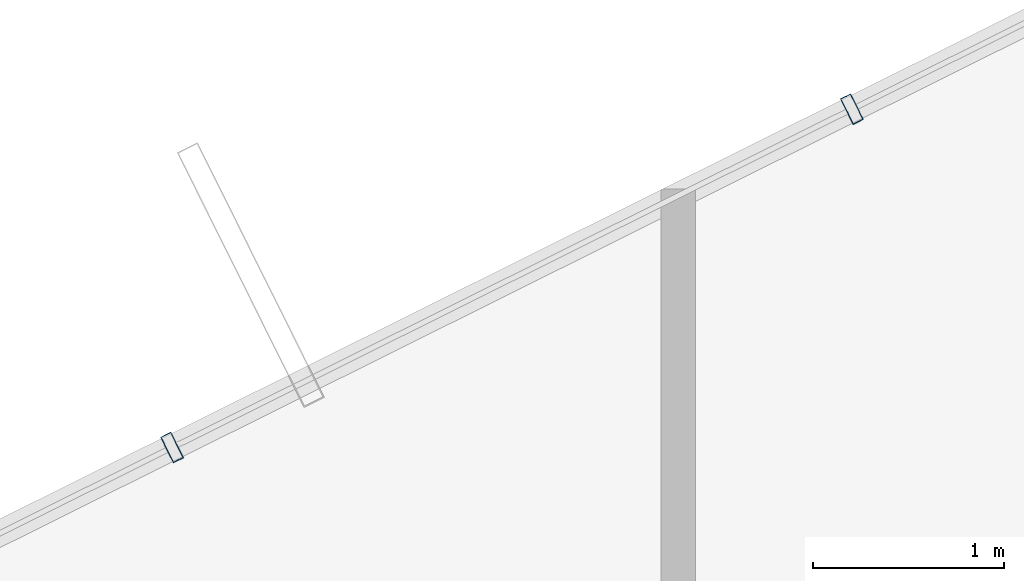
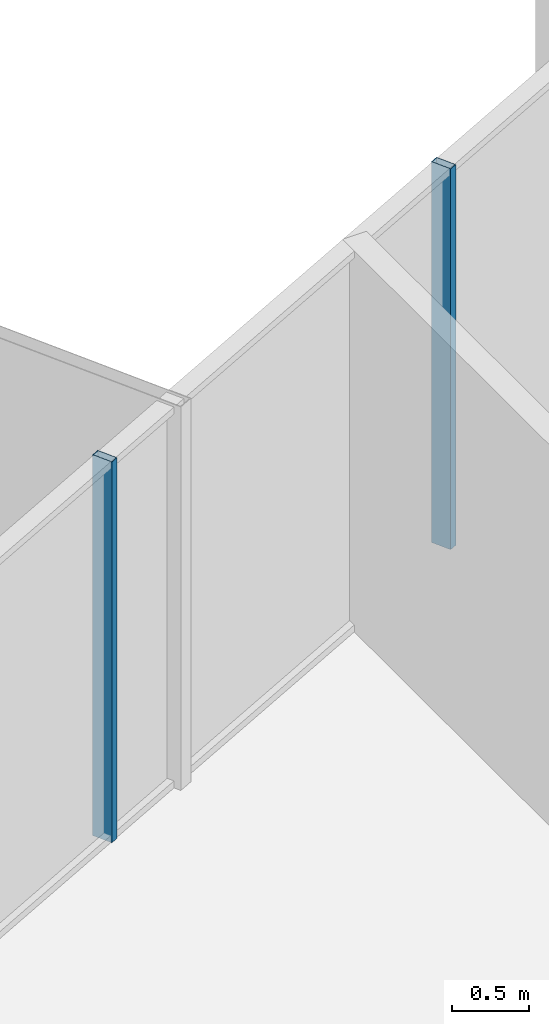
# One storey, part 18 of 29: 2 members, 1 element without a shape of its own.
"""IFC4 building model written with IfcOpenShell, lengths in metres."""

from ifc_helpers import new_model, si_unit, direction, frame, origin, origin_2d, place, context, subcontext, project, spatial, hollow_rectangle, extrude, source, transform, mapped, material, layer, layer_set, material_profile, profile_set, type_object, element, aggregate, save


model = new_model("IFC4")

# Units and contexts
model_context = context("Model", 3, precision=1e-05, world=origin(), true_north=direction((0.0, 1.0)))
body_context = subcontext(model_context, "Body", "Model", "MODEL_VIEW")
ifc_project = project(units=[si_unit("LENGTHUNIT", "METRE"), si_unit("AREAUNIT", "SQUARE_METRE"), si_unit("VOLUMEUNIT", "CUBIC_METRE"), si_unit("PLANEANGLEUNIT", "RADIAN"), si_unit("MASSUNIT", "GRAM", prefix="KILO")], contexts=[model_context])

# Site, building, storey
site_placement = place(None, origin())
site = spatial("IfcSite", under=ifc_project, at=site_placement, CompositionType="ELEMENT")
building_placement = place(site_placement, origin())
building = spatial("IfcBuilding", under=site, at=building_placement, Name="Veraguas Prism Commons", CompositionType="ELEMENT")
storey_placement = place(building_placement, frame((0.0, 0.0, 218.89990234375)))
storey = spatial("IfcBuildingStorey", under=building, at=storey_placement, Name="L62", CompositionType="ELEMENT", Elevation=218.89990234375)

# Curtain wall, members
ifc_material = material(Name="Anodised aluminium EN AW-6063 T6", Category="aluminium")
ifc_layer = layer(ifc_material, 0.14990234375, Name="Unitised Flush Curtain Wall Zone 3", Category="aluminium")
ifc_layer_set = layer_set([ifc_layer], Name="Anodised aluminium EN AW-6063 T6")
curtain_wall_type = type_object("IfcCurtainWallType", Name="Unitised Flush Curtain Wall Zone 3", PredefinedType="NOTDEFINED", material=ifc_layer_set)
curtain_wall_placement = place(storey_placement, origin())
curtain_wall = element("IfcCurtainWall", 1, at=curtain_wall_placement, inside=storey, type_object=curtain_wall_type, Name="Tower Facade Curtain Wall L62-F2", PredefinedType="NOTDEFINED")
ifc_material_profile = material_profile(ifc_material, hollow_rectangle(XDim=0.06005859375, YDim=0.14990234375, WallThickness=0.0029296875, at=origin_2d()), Name="AL60X150X3")
ifc_profile_set = profile_set([ifc_material_profile], Name="Anodised aluminium EN AW-6063 T6")
member_type = type_object("IfcMemberType", Name="Curtain Wall Mullion Upper AL 60x150x3", PredefinedType="MULLION", material=ifc_profile_set)
shared_shape = source(origin(), body_context, "Body", "SweptSolid", [
    extrude(hollow_rectangle(XDim=0.06005859375, YDim=0.14990234375, WallThickness=0.0029296875, at=origin_2d()), origin(), (0.0, 0.0, 1.0), 3.01513671875),
])
member_1_placement = place(storey_placement, frame((16.10888671875, 39.85498046875, 0.0), z_axis=(0.0, 0.0, 1.0), x_axis=(-0.895243315298, -0.445577609866, 0.0)))
member_1 = element("IfcMember", 2, at=member_1_placement, type_object=member_type, Name="CW-Z3 Mullion 3", PredefinedType="MULLION", context=body_context, shape_type="MappedRepresentation", body=[
    mapped(shared_shape, transform((0.0, 0.0, 0.0), scale=1.0)),
])
member_2_placement = place(storey_placement, frame((12.549560546875, 38.08349609375, 0.0), z_axis=(0.0, 0.0, 1.0), x_axis=(-0.895243315298, -0.445577609866, 0.0)))
member_2 = element("IfcMember", 3, at=member_2_placement, type_object=member_type, Name="CW-Z3 Mullion 4", PredefinedType="MULLION", context=body_context, shape_type="MappedRepresentation", body=[
    mapped(shared_shape, transform((0.0, 0.0, 0.0), scale=1.0)),
])
aggregate(curtain_wall, [member_1, member_2])

save(model, "model.ifc")
